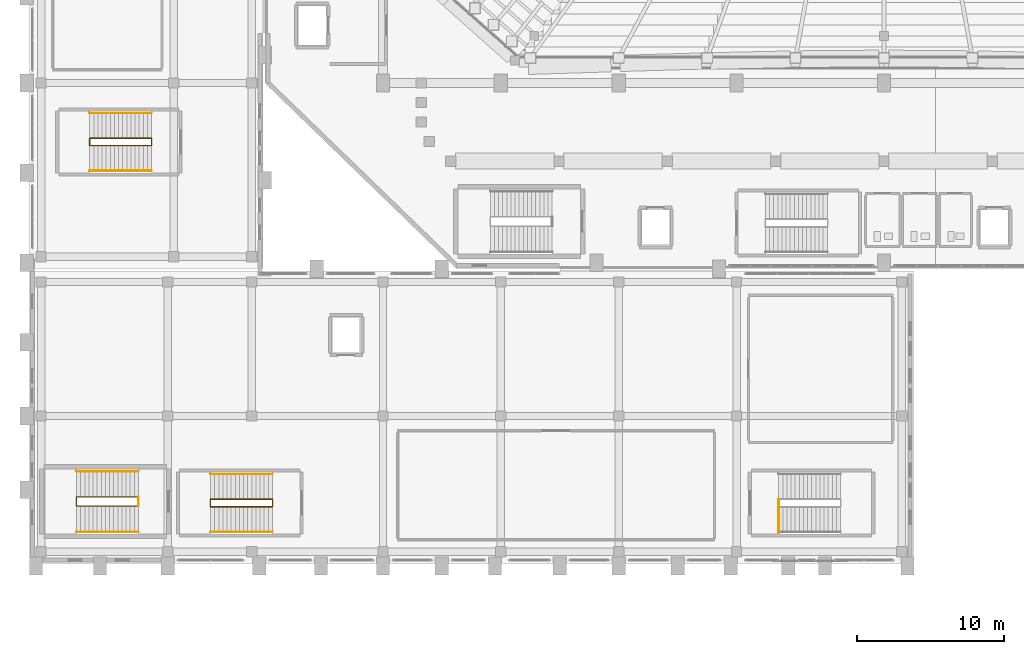
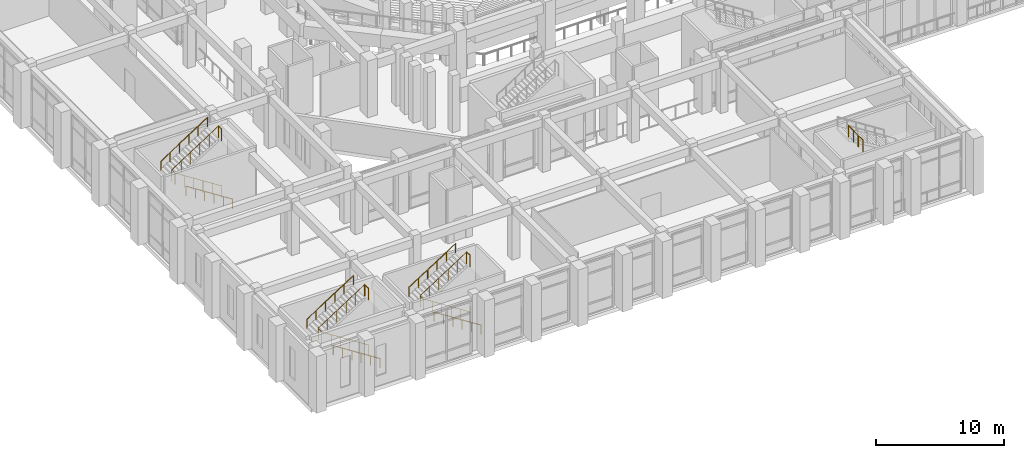
# One storey, part 144 of 159: 13 railings.
"""IFC4 building model written with IfcOpenShell, lengths in metres."""

from ifc_helpers import new_model, si_unit, derived_unit, direction, frame, origin, origin_2d, place, context, subcontext, project, spatial, circle, extrude, material, type_object, element, save


model = new_model("IFC4")

# Units and contexts
model_context = context("Model", 3, precision=1e-05, world=origin(), true_north=direction((0.0, 1.0)))
body_context = subcontext(model_context, "Body", "Model", "MODEL_VIEW")
ifc_project = project(units=[si_unit("LENGTHUNIT", "METRE"), si_unit("AREAUNIT", "SQUARE_METRE"), si_unit("VOLUMEUNIT", "CUBIC_METRE"), si_unit("PLANEANGLEUNIT", "RADIAN"), si_unit("MASSUNIT", "GRAM", prefix="KILO"), derived_unit("THERMALTRANSMITTANCEUNIT", [(si_unit("MASSUNIT", "GRAM", prefix="KILO"), 1), (si_unit("TIMEUNIT", "SECOND"), -3), (si_unit("THERMODYNAMICTEMPERATUREUNIT", "KELVIN"), -1)])], contexts=[model_context])

# Site, building, storey
site_placement = place(None, origin())
site = spatial("IfcSite", under=ifc_project, at=site_placement, CompositionType="ELEMENT")
building_placement = place(site_placement, origin())
building = spatial("IfcBuilding", under=site, at=building_placement, Name="Valcora Ridge Arena", CompositionType="ELEMENT")
storey_placement = place(building_placement, frame((0.0, 0.0, 6.0)))
storey = spatial("IfcBuildingStorey", under=building, at=storey_placement, Name="L01", CompositionType="ELEMENT", Elevation=6.0)

# Railings
ifc_material = material(Name="Galvanized painted steel ASTM A500 Grade B", Category="steel")
railing_type_1 = type_object("IfcRailingType", Name="TY-RAILING-GRD-STAIR-1120", PredefinedType="GUARDRAIL", material=ifc_material)
railing_1_placement = place(storey_placement, frame((7.409912109375, 3.89990234375, 0.0)))
element("IfcRailing", 1, at=railing_1_placement, inside=storey, type_object=railing_type_1, Name="GRD-STAIR-1120 RAL-SG-0063", PredefinedType="GUARDRAIL", context=body_context, shape_type="SweptSolid", body=[
    extrude(circle(Radius=0.02392578125, at=origin_2d()), frame((0.0, 0.0, 1.09619140625), z_axis=(-0.841180064094, 0.0, 0.540755119968), x_axis=(0.0, -1.0, 0.0)), (0.0, 0.0, 1.0), 4.992919921875),
    extrude(circle(Radius=0.02392578125, at=origin_2d()), frame((-4.199951171875, 0.0, 3.7958984375), z_axis=(0.0, 1.0, 0.0), x_axis=(-1.0, 0.0, 0.0)), (0.0, 0.0, 1.0), 0.60009765625),
    extrude(circle(Radius=0.02392578125, at=origin_2d()), frame((-4.199951171875, 0.60009765625, 3.7958984375), z_axis=(0.841180064094, 0.0, 0.540755119968), x_axis=(0.0, 1.0, 0.0)), (0.0, 0.0, 1.0), 4.992919921875),
    extrude(circle(Radius=0.02099609375, at=origin_2d()), origin(), (0.0, 0.0, 1.0), 1.072021484375),
    extrude(circle(Radius=0.02099609375, at=origin_2d()), frame((-0.840087890625, 0.0, 0.5400390625)), (0.0, 0.0, 1.0), 1.072021484375),
    extrude(circle(Radius=0.02099609375, at=origin_2d()), frame((-1.679931640625, 0.0, 1.080078125)), (0.0, 0.0, 1.0), 1.072021484375),
    extrude(circle(Radius=0.02099609375, at=origin_2d()), frame((-2.52001953125, 0.0, 1.619873046875)), (0.0, 0.0, 1.0), 1.072021484375),
    extrude(circle(Radius=0.02099609375, at=origin_2d()), frame((-3.35986328125, 0.0, 2.159912109375)), (0.0, 0.0, 1.0), 1.072021484375),
    extrude(circle(Radius=0.02099609375, at=origin_2d()), frame((-4.199951171875, 0.0, 2.699951171875)), (0.0, 0.0, 1.0), 1.072021484375),
    extrude(circle(Radius=0.02099609375, at=origin_2d()), frame((-4.199951171875, 0.60009765625, 2.699951171875)), (0.0, 0.0, 1.0), 1.072021484375),
    extrude(circle(Radius=0.02099609375, at=origin_2d()), frame((-3.35986328125, 0.60009765625, 3.239990234375)), (0.0, 0.0, 1.0), 1.072021484375),
    extrude(circle(Radius=0.02099609375, at=origin_2d()), frame((-2.52001953125, 0.60009765625, 3.780029296875)), (0.0, 0.0, 1.0), 1.072021484375),
    extrude(circle(Radius=0.02099609375, at=origin_2d()), frame((-1.679931640625, 0.60009765625, 4.31982421875)), (0.0, 0.0, 1.0), 1.072021484375),
    extrude(circle(Radius=0.02099609375, at=origin_2d()), frame((-0.840087890625, 0.60009765625, 4.85986328125)), (0.0, 0.0, 1.0), 1.072021484375),
    extrude(circle(Radius=0.02099609375, at=origin_2d()), frame((0.0, 0.60009765625, 5.39990234375)), (0.0, 0.0, 1.0), 1.072021484375),
])
railing_2_placement = place(storey_placement, frame((7.409912109375, 3.89990234375, 5.39990234375)))
element("IfcRailing", 2, at=railing_2_placement, inside=storey, type_object=railing_type_1, Name="GRD-STAIR-1120 RAL-SG-0064", PredefinedType="GUARDRAIL", context=body_context, shape_type="SweptSolid", body=[
    extrude(circle(Radius=0.02392578125, at=origin_2d()), frame((0.0, 0.0, 1.09619140625), z_axis=(0.0, 1.0, 0.0), x_axis=(-1.0, 0.0, 0.0)), (0.0, 0.0, 1.0), 0.60009765625),
    extrude(circle(Radius=0.02099609375, at=origin_2d()), origin(), (0.0, 0.0, 1.0), 1.072021484375),
    extrude(circle(Radius=0.02099609375, at=origin_2d()), frame((0.0, 0.60009765625, 0.0)), (0.0, 0.0, 1.0), 1.072021484375),
])
railing_3_placement = place(storey_placement, frame((16.5, 3.85009765625, 0.0)))
element("IfcRailing", 3, at=railing_3_placement, inside=storey, type_object=railing_type_1, Name="GRD-STAIR-1120 RAL-SG-0131", PredefinedType="GUARDRAIL", context=body_context, shape_type="SweptSolid", body=[
    extrude(circle(Radius=0.02392578125, at=origin_2d()), frame((0.0, 0.0, 1.09619140625), z_axis=(-0.841180064094, 0.0, 0.540755119968), x_axis=(0.0, -1.0, 0.0)), (0.0, 0.0, 1.0), 4.992919921875),
    extrude(circle(Radius=0.02392578125, at=origin_2d()), frame((-4.199951171875, 0.0, 3.7958984375), z_axis=(0.0, 1.0, 0.0), x_axis=(-1.0, 0.0, 0.0)), (0.0, 0.0, 1.0), 0.5),
    extrude(circle(Radius=0.02392578125, at=origin_2d()), frame((-4.199951171875, 0.5, 3.7958984375), z_axis=(0.841180064094, 0.0, 0.540755119968), x_axis=(0.0, 1.0, 0.0)), (0.0, 0.0, 1.0), 4.992919921875),
    extrude(circle(Radius=0.02099609375, at=origin_2d()), origin(), (0.0, 0.0, 1.0), 1.072021484375),
    extrude(circle(Radius=0.02099609375, at=origin_2d()), frame((-0.840087890625, 0.0, 0.5400390625)), (0.0, 0.0, 1.0), 1.072021484375),
    extrude(circle(Radius=0.02099609375, at=origin_2d()), frame((-1.679931640625, 0.0, 1.080078125)), (0.0, 0.0, 1.0), 1.072021484375),
    extrude(circle(Radius=0.02099609375, at=origin_2d()), frame((-2.52001953125, 0.0, 1.619873046875)), (0.0, 0.0, 1.0), 1.072021484375),
    extrude(circle(Radius=0.02099609375, at=origin_2d()), frame((-3.35986328125, 0.0, 2.159912109375)), (0.0, 0.0, 1.0), 1.072021484375),
    extrude(circle(Radius=0.02099609375, at=origin_2d()), frame((-4.199951171875, 0.0, 2.699951171875)), (0.0, 0.0, 1.0), 1.072021484375),
    extrude(circle(Radius=0.02099609375, at=origin_2d()), frame((-4.199951171875, 0.5, 2.699951171875)), (0.0, 0.0, 1.0), 1.072021484375),
    extrude(circle(Radius=0.02099609375, at=origin_2d()), frame((-3.35986328125, 0.5, 3.239990234375)), (0.0, 0.0, 1.0), 1.072021484375),
    extrude(circle(Radius=0.02099609375, at=origin_2d()), frame((-2.52001953125, 0.5, 3.780029296875)), (0.0, 0.0, 1.0), 1.072021484375),
    extrude(circle(Radius=0.02099609375, at=origin_2d()), frame((-1.679931640625, 0.5, 4.31982421875)), (0.0, 0.0, 1.0), 1.072021484375),
    extrude(circle(Radius=0.02099609375, at=origin_2d()), frame((-0.840087890625, 0.5, 4.85986328125)), (0.0, 0.0, 1.0), 1.072021484375),
    extrude(circle(Radius=0.02099609375, at=origin_2d()), frame((0.0, 0.5, 5.39990234375)), (0.0, 0.0, 1.0), 1.072021484375),
])
railing_4_placement = place(storey_placement, frame((16.5, 3.85009765625, 5.39990234375)))
element("IfcRailing", 4, at=railing_4_placement, inside=storey, type_object=railing_type_1, Name="GRD-STAIR-1120 RAL-SG-0132", PredefinedType="GUARDRAIL", context=body_context, shape_type="SweptSolid", body=[
    extrude(circle(Radius=0.02392578125, at=origin_2d()), frame((0.0, 0.0, 1.09619140625), z_axis=(0.0, 1.0, 0.0), x_axis=(-1.0, 0.0, 0.0)), (0.0, 0.0, 1.0), 0.5),
    extrude(circle(Radius=0.02099609375, at=origin_2d()), origin(), (0.0, 0.0, 1.0), 1.072021484375),
    extrude(circle(Radius=0.02099609375, at=origin_2d()), frame((0.0, 0.5, 0.0)), (0.0, 0.0, 1.0), 1.072021484375),
])
railing_5_placement = place(storey_placement, frame((50.860107421875, 2.050048828125, 5.39990234375)))
element("IfcRailing", 5, at=railing_5_placement, inside=storey, type_object=railing_type_1, Name="GRD-STAIR-1120 RAL-SG-0140", PredefinedType="GUARDRAIL", context=body_context, shape_type="SweptSolid", body=[
    extrude(circle(Radius=0.02392578125, at=origin_2d()), frame((0.0, 0.0, 1.09619140625), z_axis=(0.0, 1.0, 0.0), x_axis=(-1.0, 0.0, 0.0)), (0.0, 0.0, 1.0), 2.300048828125),
    extrude(circle(Radius=0.02099609375, at=origin_2d()), origin(), (0.0, 0.0, 1.0), 1.072021484375),
    extrude(circle(Radius=0.02099609375, at=origin_2d()), frame((0.0, 0.7666015625, 0.0)), (0.0, 0.0, 1.0), 1.072021484375),
    extrude(circle(Radius=0.02099609375, at=origin_2d()), frame((0.0, 1.533447265625, 0.0)), (0.0, 0.0, 1.0), 1.072021484375),
    extrude(circle(Radius=0.02099609375, at=origin_2d()), frame((0.0, 2.300048828125, 0.0)), (0.0, 0.0, 1.0), 1.072021484375),
])
railing_6_placement = place(storey_placement, frame((8.300048828125, 28.35009765625, 0.0)))
element("IfcRailing", 6, at=railing_6_placement, inside=storey, type_object=railing_type_1, Name="GRD-STAIR-1120 RAL-SG-0143", PredefinedType="GUARDRAIL", context=body_context, shape_type="SweptSolid", body=[
    extrude(circle(Radius=0.02392578125, at=origin_2d()), frame((0.0, 0.0, 1.09619140625), z_axis=(-0.841180064094, 0.0, 0.540755119968), x_axis=(0.0, -1.0, 0.0)), (0.0, 0.0, 1.0), 4.992919921875),
    extrude(circle(Radius=0.02392578125, at=origin_2d()), frame((-4.199951171875, 0.0, 3.7958984375), z_axis=(0.0, 1.0, 0.0), x_axis=(-1.0, 0.0, 0.0)), (0.0, 0.0, 1.0), 0.5),
    extrude(circle(Radius=0.02392578125, at=origin_2d()), frame((-4.199951171875, 0.5, 3.7958984375), z_axis=(0.841180064094, 0.0, 0.540755119968), x_axis=(0.0, 1.0, 0.0)), (0.0, 0.0, 1.0), 4.992919921875),
    extrude(circle(Radius=0.02099609375, at=origin_2d()), origin(), (0.0, 0.0, 1.0), 1.072021484375),
    extrude(circle(Radius=0.02099609375, at=origin_2d()), frame((-0.840087890625, 0.0, 0.5400390625)), (0.0, 0.0, 1.0), 1.072021484375),
    extrude(circle(Radius=0.02099609375, at=origin_2d()), frame((-1.679931640625, 0.0, 1.080078125)), (0.0, 0.0, 1.0), 1.072021484375),
    extrude(circle(Radius=0.02099609375, at=origin_2d()), frame((-2.52001953125, 0.0, 1.619873046875)), (0.0, 0.0, 1.0), 1.072021484375),
    extrude(circle(Radius=0.02099609375, at=origin_2d()), frame((-3.35986328125, 0.0, 2.159912109375)), (0.0, 0.0, 1.0), 1.072021484375),
    extrude(circle(Radius=0.02099609375, at=origin_2d()), frame((-4.199951171875, 0.0, 2.699951171875)), (0.0, 0.0, 1.0), 1.072021484375),
    extrude(circle(Radius=0.02099609375, at=origin_2d()), frame((-4.199951171875, 0.5, 2.699951171875)), (0.0, 0.0, 1.0), 1.072021484375),
    extrude(circle(Radius=0.02099609375, at=origin_2d()), frame((-3.35986328125, 0.5, 3.239990234375)), (0.0, 0.0, 1.0), 1.072021484375),
    extrude(circle(Radius=0.02099609375, at=origin_2d()), frame((-2.52001953125, 0.5, 3.780029296875)), (0.0, 0.0, 1.0), 1.072021484375),
    extrude(circle(Radius=0.02099609375, at=origin_2d()), frame((-1.679931640625, 0.5, 4.31982421875)), (0.0, 0.0, 1.0), 1.072021484375),
    extrude(circle(Radius=0.02099609375, at=origin_2d()), frame((-0.840087890625, 0.5, 4.85986328125)), (0.0, 0.0, 1.0), 1.072021484375),
    extrude(circle(Radius=0.02099609375, at=origin_2d()), frame((0.0, 0.5, 5.39990234375)), (0.0, 0.0, 1.0), 1.072021484375),
])
railing_7_placement = place(storey_placement, frame((8.300048828125, 28.35009765625, 5.39990234375)))
element("IfcRailing", 7, at=railing_7_placement, inside=storey, type_object=railing_type_1, Name="GRD-STAIR-1120 RAL-SG-0144", PredefinedType="GUARDRAIL", context=body_context, shape_type="SweptSolid", body=[
    extrude(circle(Radius=0.02392578125, at=origin_2d()), frame((0.0, 0.0, 1.09619140625), z_axis=(0.0, 1.0, 0.0), x_axis=(-1.0, 0.0, 0.0)), (0.0, 0.0, 1.0), 0.5),
    extrude(circle(Radius=0.02099609375, at=origin_2d()), origin(), (0.0, 0.0, 1.0), 1.072021484375),
    extrude(circle(Radius=0.02099609375, at=origin_2d()), frame((0.0, 0.5, 0.0)), (0.0, 0.0, 1.0), 1.072021484375),
])
railing_type_2 = type_object("IfcRailingType", Name="TY-RAILING-HR-STAIR-900", PredefinedType="HANDRAIL", material=ifc_material)
railing_8_placement = place(storey_placement, frame((7.409912109375, 2.139892578125, 0.0)))
element("IfcRailing", 8, at=railing_8_placement, inside=storey, type_object=railing_type_2, Name="HR-STAIR-900 RAL-SH-0063", PredefinedType="HANDRAIL", context=body_context, shape_type="SweptSolid", body=[
    extrude(circle(Radius=0.02392578125, at=origin_2d()), frame((0.0, 0.0, 0.8759765625), z_axis=(-0.841180064094, 0.0, 0.540755119968), x_axis=(0.0, -1.0, 0.0)), (0.0, 0.0, 1.0), 4.992919921875),
    extrude(circle(Radius=0.02099609375, at=origin_2d()), origin(), (0.0, 0.0, 1.0), 0.851806640625),
    extrude(circle(Radius=0.02099609375, at=origin_2d()), frame((-0.840087890625, 0.0, 0.5400390625)), (0.0, 0.0, 1.0), 0.851806640625),
    extrude(circle(Radius=0.02099609375, at=origin_2d()), frame((-1.679931640625, 0.0, 1.080078125)), (0.0, 0.0, 1.0), 0.851806640625),
    extrude(circle(Radius=0.02099609375, at=origin_2d()), frame((-2.52001953125, 0.0, 1.619873046875)), (0.0, 0.0, 1.0), 0.851806640625),
    extrude(circle(Radius=0.02099609375, at=origin_2d()), frame((-3.35986328125, 0.0, 2.159912109375)), (0.0, 0.0, 1.0), 0.851806640625),
    extrude(circle(Radius=0.02099609375, at=origin_2d()), frame((-4.199951171875, 0.0, 2.699951171875)), (0.0, 0.0, 1.0), 0.851806640625),
])
railing_9_placement = place(storey_placement, frame((3.2099609375, 6.260009765625, 2.699951171875)))
element("IfcRailing", 9, at=railing_9_placement, inside=storey, type_object=railing_type_2, Name="HR-STAIR-900 RAL-SH-0064", PredefinedType="HANDRAIL", context=body_context, shape_type="SweptSolid", body=[
    extrude(circle(Radius=0.02392578125, at=origin_2d()), frame((0.0, 0.0, 0.8759765625), z_axis=(0.841180064094, 0.0, 0.540755119968), x_axis=(0.0, 1.0, 0.0)), (0.0, 0.0, 1.0), 4.992919921875),
    extrude(circle(Radius=0.02099609375, at=origin_2d()), origin(), (0.0, 0.0, 1.0), 0.851806640625),
    extrude(circle(Radius=0.02099609375, at=origin_2d()), frame((0.840087890625, 0.0, 0.5400390625)), (0.0, 0.0, 1.0), 0.851806640625),
    extrude(circle(Radius=0.02099609375, at=origin_2d()), frame((1.679931640625, 0.0, 1.080078125)), (0.0, 0.0, 1.0), 0.851806640625),
    extrude(circle(Radius=0.02099609375, at=origin_2d()), frame((2.52001953125, 0.0, 1.619873046875)), (0.0, 0.0, 1.0), 0.851806640625),
    extrude(circle(Radius=0.02099609375, at=origin_2d()), frame((3.35986328125, 0.0, 2.159912109375)), (0.0, 0.0, 1.0), 0.851806640625),
    extrude(circle(Radius=0.02099609375, at=origin_2d()), frame((4.199951171875, 0.0, 2.699951171875)), (0.0, 0.0, 1.0), 0.851806640625),
])
railing_10_placement = place(storey_placement, frame((16.5, 2.139892578125, 0.0)))
element("IfcRailing", 10, at=railing_10_placement, inside=storey, type_object=railing_type_2, Name="HR-STAIR-900 RAL-SH-0131", PredefinedType="HANDRAIL", context=body_context, shape_type="SweptSolid", body=[
    extrude(circle(Radius=0.02392578125, at=origin_2d()), frame((0.0, 0.0, 0.8759765625), z_axis=(-0.841180064094, 0.0, 0.540755119968), x_axis=(0.0, -1.0, 0.0)), (0.0, 0.0, 1.0), 4.992919921875),
    extrude(circle(Radius=0.02099609375, at=origin_2d()), origin(), (0.0, 0.0, 1.0), 0.851806640625),
    extrude(circle(Radius=0.02099609375, at=origin_2d()), frame((-0.840087890625, 0.0, 0.5400390625)), (0.0, 0.0, 1.0), 0.851806640625),
    extrude(circle(Radius=0.02099609375, at=origin_2d()), frame((-1.679931640625, 0.0, 1.080078125)), (0.0, 0.0, 1.0), 0.851806640625),
    extrude(circle(Radius=0.02099609375, at=origin_2d()), frame((-2.52001953125, 0.0, 1.619873046875)), (0.0, 0.0, 1.0), 0.851806640625),
    extrude(circle(Radius=0.02099609375, at=origin_2d()), frame((-3.35986328125, 0.0, 2.159912109375)), (0.0, 0.0, 1.0), 0.851806640625),
    extrude(circle(Radius=0.02099609375, at=origin_2d()), frame((-4.199951171875, 0.0, 2.699951171875)), (0.0, 0.0, 1.0), 0.851806640625),
])
railing_11_placement = place(storey_placement, frame((12.300048828125, 6.06005859375, 2.699951171875)))
element("IfcRailing", 11, at=railing_11_placement, inside=storey, type_object=railing_type_2, Name="HR-STAIR-900 RAL-SH-0132", PredefinedType="HANDRAIL", context=body_context, shape_type="SweptSolid", body=[
    extrude(circle(Radius=0.02392578125, at=origin_2d()), frame((0.0, 0.0, 0.8759765625), z_axis=(0.841180064094, 0.0, 0.540755119968), x_axis=(0.0, 1.0, 0.0)), (0.0, 0.0, 1.0), 4.992919921875),
    extrude(circle(Radius=0.02099609375, at=origin_2d()), origin(), (0.0, 0.0, 1.0), 0.851806640625),
    extrude(circle(Radius=0.02099609375, at=origin_2d()), frame((0.840087890625, 0.0, 0.5400390625)), (0.0, 0.0, 1.0), 0.851806640625),
    extrude(circle(Radius=0.02099609375, at=origin_2d()), frame((1.679931640625, 0.0, 1.080078125)), (0.0, 0.0, 1.0), 0.851806640625),
    extrude(circle(Radius=0.02099609375, at=origin_2d()), frame((2.52001953125, 0.0, 1.619873046875)), (0.0, 0.0, 1.0), 0.851806640625),
    extrude(circle(Radius=0.02099609375, at=origin_2d()), frame((3.35986328125, 0.0, 2.159912109375)), (0.0, 0.0, 1.0), 0.851806640625),
    extrude(circle(Radius=0.02099609375, at=origin_2d()), frame((4.199951171875, 0.0, 2.699951171875)), (0.0, 0.0, 1.0), 0.851806640625),
])
railing_12_placement = place(storey_placement, frame((8.300048828125, 26.639892578125, 0.0)))
element("IfcRailing", 12, at=railing_12_placement, inside=storey, type_object=railing_type_2, Name="HR-STAIR-900 RAL-SH-0143", PredefinedType="HANDRAIL", context=body_context, shape_type="SweptSolid", body=[
    extrude(circle(Radius=0.02392578125, at=origin_2d()), frame((0.0, 0.0, 0.8759765625), z_axis=(-0.841180064094, 0.0, 0.540755119968), x_axis=(0.0, -1.0, 0.0)), (0.0, 0.0, 1.0), 4.992919921875),
    extrude(circle(Radius=0.02099609375, at=origin_2d()), origin(), (0.0, 0.0, 1.0), 0.851806640625),
    extrude(circle(Radius=0.02099609375, at=origin_2d()), frame((-0.840087890625, 0.0, 0.5400390625)), (0.0, 0.0, 1.0), 0.851806640625),
    extrude(circle(Radius=0.02099609375, at=origin_2d()), frame((-1.679931640625, 0.0, 1.080078125)), (0.0, 0.0, 1.0), 0.851806640625),
    extrude(circle(Radius=0.02099609375, at=origin_2d()), frame((-2.52001953125, 0.0, 1.619873046875)), (0.0, 0.0, 1.0), 0.851806640625),
    extrude(circle(Radius=0.02099609375, at=origin_2d()), frame((-3.35986328125, 0.0, 2.159912109375)), (0.0, 0.0, 1.0), 0.851806640625),
    extrude(circle(Radius=0.02099609375, at=origin_2d()), frame((-4.199951171875, 0.0, 2.699951171875)), (0.0, 0.0, 1.0), 0.851806640625),
])
railing_13_placement = place(storey_placement, frame((4.10009765625, 30.56005859375, 2.699951171875)))
element("IfcRailing", 13, at=railing_13_placement, inside=storey, type_object=railing_type_2, Name="HR-STAIR-900 RAL-SH-0144", PredefinedType="HANDRAIL", context=body_context, shape_type="SweptSolid", body=[
    extrude(circle(Radius=0.02392578125, at=origin_2d()), frame((0.0, 0.0, 0.8759765625), z_axis=(0.841180064094, 0.0, 0.540755119968), x_axis=(0.0, 1.0, 0.0)), (0.0, 0.0, 1.0), 4.992919921875),
    extrude(circle(Radius=0.02099609375, at=origin_2d()), origin(), (0.0, 0.0, 1.0), 0.851806640625),
    extrude(circle(Radius=0.02099609375, at=origin_2d()), frame((0.840087890625, 0.0, 0.5400390625)), (0.0, 0.0, 1.0), 0.851806640625),
    extrude(circle(Radius=0.02099609375, at=origin_2d()), frame((1.679931640625, 0.0, 1.080078125)), (0.0, 0.0, 1.0), 0.851806640625),
    extrude(circle(Radius=0.02099609375, at=origin_2d()), frame((2.52001953125, 0.0, 1.619873046875)), (0.0, 0.0, 1.0), 0.851806640625),
    extrude(circle(Radius=0.02099609375, at=origin_2d()), frame((3.35986328125, 0.0, 2.159912109375)), (0.0, 0.0, 1.0), 0.851806640625),
    extrude(circle(Radius=0.02099609375, at=origin_2d()), frame((4.199951171875, 0.0, 2.699951171875)), (0.0, 0.0, 1.0), 0.851806640625),
])

save(model, "model.ifc")
